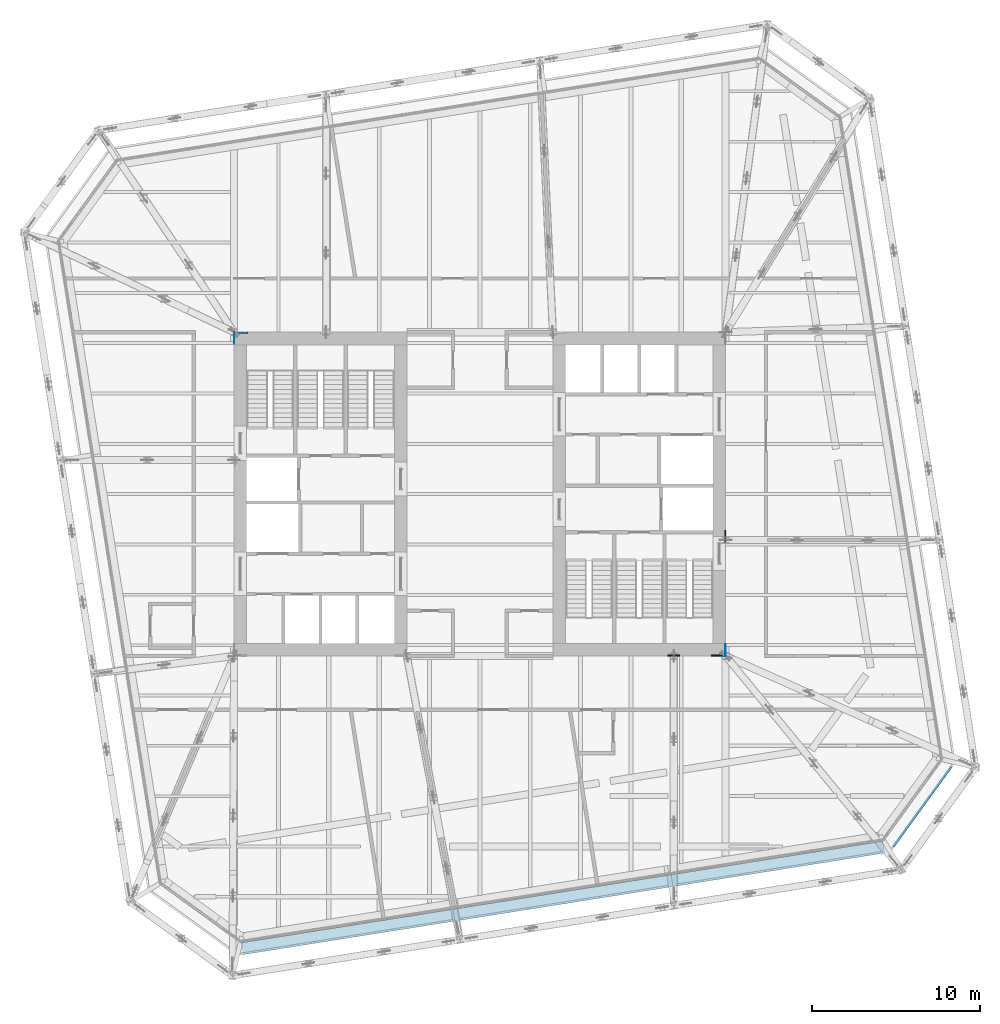
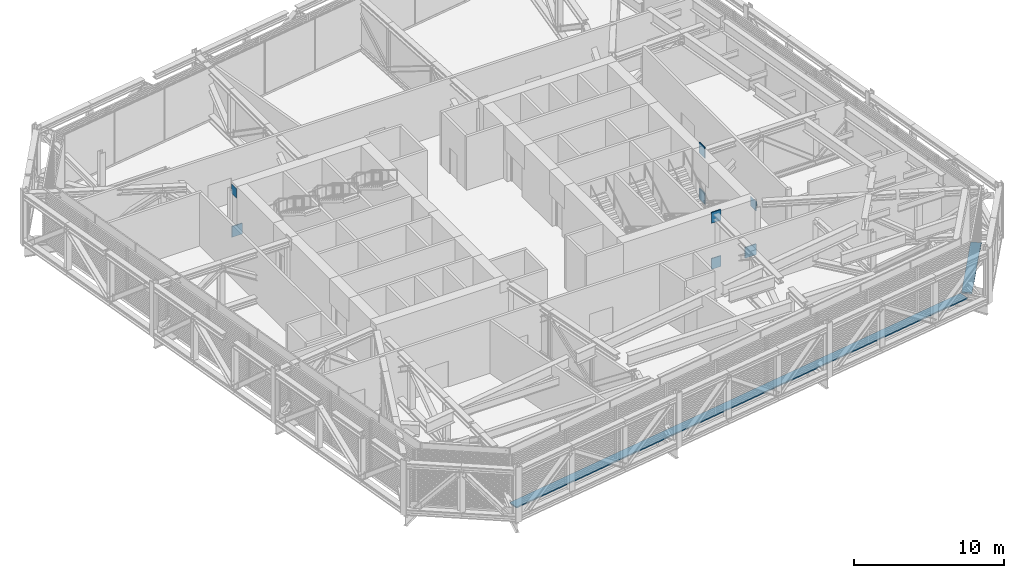
# One storey, part 24 of 31: 10 discrete accessories.
"""IFC4 building model written with IfcOpenShell, lengths in metres."""

from ifc_helpers import new_model, si_unit, direction, frame, origin, origin_2d, place, context, subcontext, project, spatial, rectangle, extrude, material, layer, layer_set, type_object, element, save


model = new_model("IFC4")

# Units and contexts
model_context = context("Model", 3, precision=1e-05, world=origin(), true_north=direction((0.0, 1.0)))
body_context = subcontext(model_context, "Body", "Model", "MODEL_VIEW")
ifc_project = project(units=[si_unit("LENGTHUNIT", "METRE"), si_unit("AREAUNIT", "SQUARE_METRE"), si_unit("VOLUMEUNIT", "CUBIC_METRE"), si_unit("PLANEANGLEUNIT", "RADIAN"), si_unit("MASSUNIT", "GRAM", prefix="KILO")], contexts=[model_context])

# Site, building, storey
site_placement = place(None, origin())
site = spatial("IfcSite", under=ifc_project, at=site_placement, CompositionType="ELEMENT")
building_placement = place(site_placement, origin())
building = spatial("IfcBuilding", under=site, at=building_placement, Name="Millrace Tower", CompositionType="ELEMENT")
storey_placement = place(building_placement, frame((0.0, 0.0, 195.60009765625)))
storey = spatial("IfcBuildingStorey", under=building, at=storey_placement, Name="L44", CompositionType="ELEMENT", Elevation=195.60009765625)

# Discrete accessories
ifc_material_1 = material(Name="Steel ASTM A572 Grade 50", Category="steel")
ifc_layer_1 = layer(ifc_material_1, 0.02490234375)
ifc_layer_set_1 = layer_set([ifc_layer_1], Name="Steel ASTM A572 Grade 50")
discrete_accessory_type_1 = type_object("IfcDiscreteAccessoryType", Name="Cast-in anchor plate 700x785x25", PredefinedType="ANCHORPLATE", material=ifc_layer_set_1)
for number, where, z_axis, x_axis, name in (
    (1, (14.625, -9.300048828125, 3.75732421875), (1.0, 0.0, 0.0), (0.0, 1.0, 0.0), "Cast-in anchor plate BLT-L44-O05-V00"),
    (2, (-14.625, 9.300048828125, 3.75732421875), (-1.0, 0.0, 0.0), (0.0, -1.0, 0.0), "Cast-in anchor plate BLT-L44-O13-V00"),
):
    element("IfcDiscreteAccessory", number, at=place(storey_placement, frame(where, z_axis=z_axis, x_axis=x_axis)), inside=storey, type_object=discrete_accessory_type_1, Name=name, PredefinedType="ANCHORPLATE", context=body_context, shape_type="SweptSolid", body=[
        extrude(rectangle(XDim=0.699951171875, YDim=0.784912109375, at=origin_2d()), origin(), (0.0, 0.0, 1.0), 0.02490234375),
    ])
ifc_material_2 = material(Name="Steel ASTM A572 Grade 50", Category="steel")
ifc_layer_2 = layer(ifc_material_2, 0.070068359375)
ifc_layer_set_2 = layer_set([ifc_layer_2], Name="Steel ASTM A572 Grade 50")
discrete_accessory_type_2 = type_object("IfcDiscreteAccessoryType", Name="Cast-in anchor plate 730x885x70", PredefinedType="ANCHORPLATE", material=ifc_layer_set_2)
for number, where, z_axis, x_axis, name in (
    (3, (11.559814453125, -9.580078125, 0.2412109375), (0.0, -1.0, 0.0), (1.0, 0.0, 0.0), "Cast-in anchor plate BLT-L44-O04-B01"),
    (4, (11.559814453125, -9.580078125, 3.99853515625), (0.0, -1.0, 0.0), (1.0, 0.0, 0.0), "Cast-in anchor plate BLT-L44-O04-T01"),
    (5, (14.580078125, -2.514892578125, 0.2412109375), (1.0, 0.0, 0.0), (0.0, 1.0, 0.0), "Cast-in anchor plate BLT-L44-O07-B01"),
    (6, (14.580078125, -2.514892578125, 3.99853515625), (1.0, 0.0, 0.0), (0.0, 1.0, 0.0), "Cast-in anchor plate BLT-L44-O07-T01"),
):
    element("IfcDiscreteAccessory", number, at=place(storey_placement, frame(where, z_axis=z_axis, x_axis=x_axis)), inside=storey, type_object=discrete_accessory_type_2, Name=name, PredefinedType="ANCHORPLATE", context=body_context, shape_type="SweptSolid", body=[
        extrude(rectangle(XDim=0.72998046875, YDim=0.885009765625, at=origin_2d()), origin(), (0.0, 0.0, 1.0), 0.06982421875),
    ])
ifc_material_3 = material(Name="Steel ASTM A572 Grade 50", Category="steel")
ifc_layer_3 = layer(ifc_material_3, 0.070068359375)
ifc_layer_set_3 = layer_set([ifc_layer_3], Name="Steel ASTM A572 Grade 50")
discrete_accessory_type_3 = type_object("IfcDiscreteAccessoryType", Name="Cast-in anchor plate 815x885x70", PredefinedType="ANCHORPLATE", material=ifc_layer_set_3)
discrete_accessory_1_placement = place(storey_placement, frame((-14.242431640625, 9.580078125, 0.2412109375), z_axis=(0.0, 1.0, 0.0), x_axis=(-1.0, 0.0, 0.0)))
element("IfcDiscreteAccessory", 7, at=discrete_accessory_1_placement, inside=storey, type_object=discrete_accessory_type_3, Name="Cast-in anchor plate BLT-L44-O13-B01", PredefinedType="ANCHORPLATE", context=body_context, shape_type="SweptSolid", body=[
    extrude(rectangle(XDim=0.81494140625, YDim=0.885009765625, at=origin_2d()), origin(), (0.0, 0.0, 1.0), 0.06982421875),
])
ifc_material_4 = material(Name="Steel ASTM A572 Grade 50", Category="steel")
ifc_layer_4 = layer(ifc_material_4, 0.070068359375)
ifc_layer_set_4 = layer_set([ifc_layer_4], Name="Steel ASTM A572 Grade 50")
discrete_accessory_type_4 = type_object("IfcDiscreteAccessoryType", Name="Cast-in anchor plate 855x885x70", PredefinedType="ANCHORPLATE", material=ifc_layer_set_4)
discrete_accessory_2_placement = place(storey_placement, frame((14.222412109375, -9.580078125, 0.2412109375), z_axis=(0.0, -1.0, 0.0), x_axis=(1.0, 0.0, 0.0)))
element("IfcDiscreteAccessory", 8, at=discrete_accessory_2_placement, inside=storey, type_object=discrete_accessory_type_4, Name="Cast-in anchor plate BLT-L44-O05-B01", PredefinedType="ANCHORPLATE", context=body_context, shape_type="SweptSolid", body=[
    extrude(rectangle(XDim=0.85498046875, YDim=0.885009765625, at=origin_2d()), origin(), (0.0, 0.0, 1.0), 0.06982421875),
])
ifc_material_5 = material(Name="Stainless steel ASTM A240 type 316", Category="steel")
discrete_accessory_type_5 = type_object("IfcDiscreteAccessoryType", Name="Thermally broken screen support rail", PredefinedType="BRACKET", material=ifc_material_5)
discrete_accessory_3_placement = place(storey_placement, frame((4.9560546875, -24.064453125, -0.000244140625), z_axis=(0.0, 0.0, 1.0), x_axis=(0.98768833929, 0.15643447328, 0.0)))
element("IfcDiscreteAccessory", 9, at=discrete_accessory_3_placement, inside=storey, type_object=discrete_accessory_type_5, Name="Thermally broken screen support rail C-F02 L44 1", PredefinedType="BRACKET", context=body_context, shape_type="SweptSolid", body=[
    extrude(rectangle(XDim=38.699951171875, YDim=0.719970703125, at=origin_2d()), origin(), (0.0, 0.0, 1.0), 0.10009765625),
])
discrete_accessory_4_placement = place(storey_placement, frame((26.12548828125, -18.45947265625, -0.000244140625), z_axis=(0.0, 0.0, 1.0), x_axis=(0.587785269844, 0.809016981623, 0.0)))
element("IfcDiscreteAccessory", 10, at=discrete_accessory_4_placement, inside=storey, type_object=discrete_accessory_type_5, Name="Thermally broken screen support rail C-F03 L44 1", PredefinedType="BRACKET", context=body_context, shape_type="SweptSolid", body=[
    extrude(rectangle(XDim=5.868896484375, YDim=0.719970703125, at=origin_2d()), origin(), (0.0, 0.0, 1.0), 0.10009765625),
])

save(model, "model.ifc")
